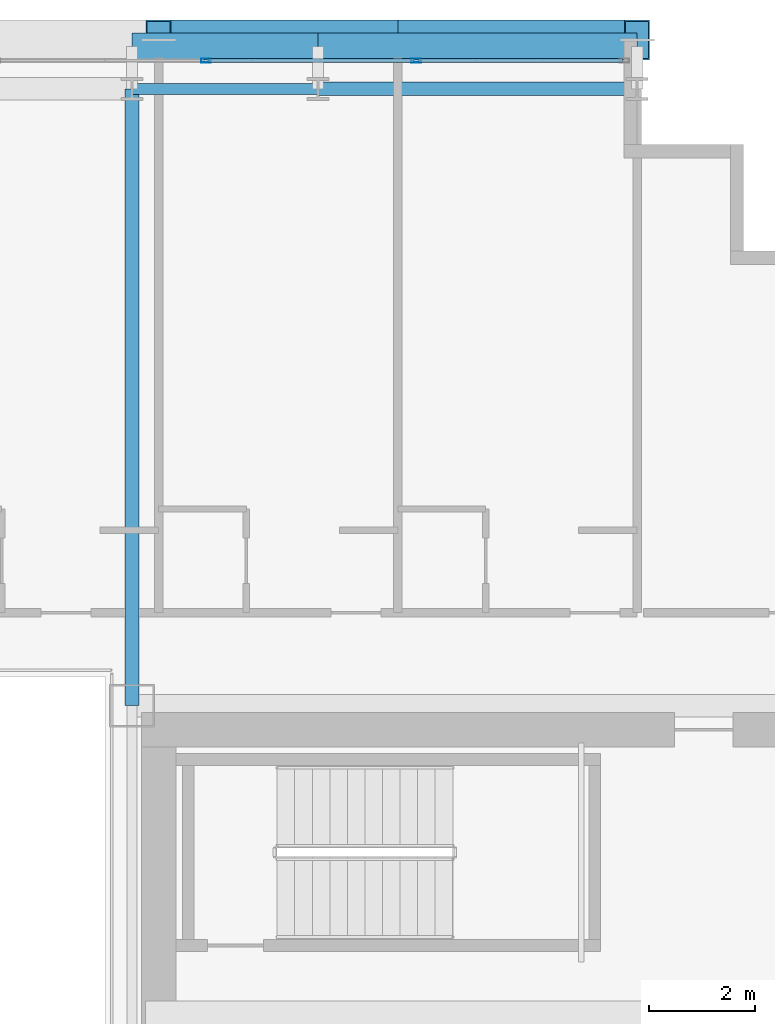
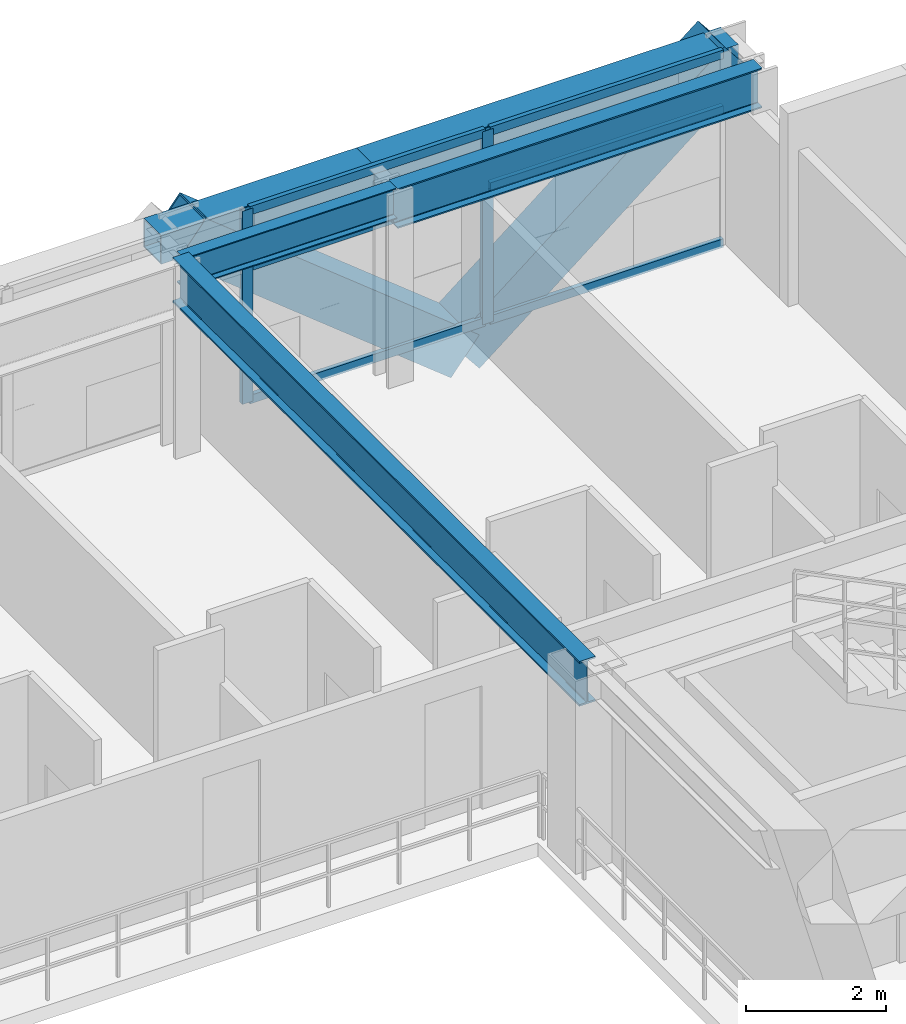
# One storey, part 21 of 36: 10 members, 5 beams, 1 element without a shape of its own.
"""IFC4 building model written with IfcOpenShell, lengths in metres."""

from ifc_helpers import new_model, si_unit, direction, frame, origin, origin_2d, place, context, subcontext, project, spatial, hollow_rectangle, i_section, extrude, source, transform, mapped, material, layer, layer_set, material_profile, profile_set, type_object, element, aggregate, save


model = new_model("IFC4")

# Units and contexts
model_context = context("Model", 3, precision=1e-05, world=origin(), true_north=direction((0.0, 1.0)))
body_context = subcontext(model_context, "Body", "Model", "MODEL_VIEW")
ifc_project = project(units=[si_unit("LENGTHUNIT", "METRE"), si_unit("AREAUNIT", "SQUARE_METRE"), si_unit("VOLUMEUNIT", "CUBIC_METRE"), si_unit("PLANEANGLEUNIT", "RADIAN"), si_unit("MASSUNIT", "GRAM", prefix="KILO")], contexts=[model_context])

# Site, building, storey
site_placement = place(None, origin())
site = spatial("IfcSite", under=ifc_project, at=site_placement, CompositionType="ELEMENT")
building_placement = place(site_placement, origin())
building = spatial("IfcBuilding", under=site, at=building_placement, Name="Ocotamira Hotel", CompositionType="ELEMENT")
storey_placement = place(building_placement, frame((0.0, 0.0, 129.60009765625)))
storey = spatial("IfcBuildingStorey", under=building, at=storey_placement, Name="L32", CompositionType="ELEMENT", Elevation=129.60009765625)

# Beams
ifc_material_1 = material(Name="Steel ASTM A992 Grade 50", Category="steel")
ifc_material_profile_1 = material_profile(ifc_material_1, i_section(OverallWidth=0.256103515625, OverallDepth=0.693115234375, WebThickness=0.014404296875, FlangeThickness=0.023681640625, FilletRadius=0.01611328125, at=origin_2d()), Name="W27X114")
ifc_profile_set_1 = profile_set([ifc_material_profile_1], Name="Steel ASTM A992 Grade 50")
beam_type_1 = type_object("IfcBeamType", Name="BM-PRIM-W27X114", PredefinedType="BEAM", material=ifc_profile_set_1)
shared_shape_1 = source(origin(), body_context, "Body", "SweptSolid", [
    extrude(i_section(OverallWidth=0.256103515625, OverallDepth=0.693115234375, WebThickness=0.014404296875, FlangeThickness=0.023681640625, FilletRadius=0.01611328125, at=origin_2d()), origin(), (0.0, 0.0, 1.0), 6.0),
])
beam_1_placement = place(storey_placement, frame((44.0, 49.050048828125, 3.013427734375), z_axis=(1.0, 0.0, 0.0), x_axis=(0.0, 1.0, 0.0)))
element("IfcBeam", 1, at=beam_1_placement, inside=storey, type_object=beam_type_1, Name="L32 Girder Y49.05 X44-50", PredefinedType="BEAM", context=body_context, shape_type="MappedRepresentation", body=[
    mapped(shared_shape_1, transform((0.0, 0.0, 0.0), scale=1.0)),
])
ifc_material_profile_2 = material_profile(ifc_material_1, i_section(OverallWidth=0.2099609375, OverallDepth=0.537109375, WebThickness=0.010986328125, FlangeThickness=0.017333984375, FilletRadius=0.012939453125, at=origin_2d()), Name="W21X68")
ifc_profile_set_2 = profile_set([ifc_material_profile_2], Name="Steel ASTM A992 Grade 50")
beam_type_2 = type_object("IfcBeamType", Name="BM-SEC-W21X68", PredefinedType="JOIST", material=ifc_profile_set_2)
shared_shape_2 = source(origin(), body_context, "Body", "SweptSolid", [
    extrude(i_section(OverallWidth=0.2099609375, OverallDepth=0.537109375, WebThickness=0.010986328125, FlangeThickness=0.017333984375, FilletRadius=0.012939453125, at=origin_2d()), origin(), (0.0, 0.0, 1.0), 3.5),
])
beam_2_placement = place(storey_placement, frame((40.5, 49.050048828125, 3.09130859375), z_axis=(1.0, 0.0, 0.0), x_axis=(0.0, 1.0, 0.0)))
element("IfcBeam", 2, at=beam_2_placement, inside=storey, type_object=beam_type_2, Name="L32 Girder Y49.05 X40.5-44", PredefinedType="JOIST", context=body_context, shape_type="MappedRepresentation", body=[
    mapped(shared_shape_2, transform((0.0, 0.0, 0.0), scale=1.0)),
])
ifc_material_profile_3 = material_profile(ifc_material_1, i_section(OverallWidth=0.26611328125, OverallDepth=0.779052734375, WebThickness=0.0166015625, FlangeThickness=0.030029296875, FilletRadius=0.01806640625, at=origin_2d()), Name="W30X148")
ifc_profile_set_3 = profile_set([ifc_material_profile_3], Name="Steel ASTM A992 Grade 50")
beam_type_3 = type_object("IfcBeamType", Name="BM-GIRD-W30X148", PredefinedType="BEAM", material=ifc_profile_set_3)
shared_shape_3 = source(origin(), body_context, "Body", "SweptSolid", [
    extrude(i_section(OverallWidth=0.26611328125, OverallDepth=0.779052734375, WebThickness=0.0166015625, FlangeThickness=0.030029296875, FilletRadius=0.01806640625, at=origin_2d()), origin(), (0.0, 0.0, 1.0), 11.60009765625),
])
beam_3_placement = place(storey_placement, frame((40.5, 37.449951171875, 2.970458984375), z_axis=(0.0, 1.0, 0.0), x_axis=(-1.0, 0.0, 0.0)))
element("IfcBeam", 3, at=beam_3_placement, inside=storey, type_object=beam_type_3, Name="L32 Beam X40.5 Y37.45-49.05", PredefinedType="BEAM", context=body_context, shape_type="MappedRepresentation", body=[
    mapped(shared_shape_3, transform((0.0, 0.0, 0.0), scale=1.0)),
])
ifc_material_2 = material(Name="Steel ASTM A500 Grade C", Category="steel")
ifc_material_profile_4 = material_profile(ifc_material_2, hollow_rectangle(XDim=0.5, YDim=0.5, WallThickness=0.02001953125, at=origin_2d()), Name="HSS500X500X20")
ifc_profile_set_4 = profile_set([ifc_material_profile_4], Name="Steel ASTM A500 Grade C")
beam_type_4 = type_object("IfcBeamType", Name="BM-SPAN-HSS500", PredefinedType="USERDEFINED", material=ifc_profile_set_4)
shared_shape_4 = source(origin(), body_context, "Body", "SweptSolid", [
    extrude(hollow_rectangle(XDim=0.5, YDim=0.5, WallThickness=0.02001953125, at=origin_2d()), origin(), (0.0, 0.0, 1.0), 6.0),
])
beam_4_placement = place(storey_placement, frame((44.0, 49.85009765625, 3.10986328125), z_axis=(1.0, 0.0, 0.0), x_axis=(0.0, 1.0, 0.0)))
element("IfcBeam", 4, at=beam_4_placement, inside=storey, type_object=beam_type_4, Name="L32 Edge Spandrel N X44-50", ObjectType="SPANDREL", PredefinedType="USERDEFINED", context=body_context, shape_type="MappedRepresentation", body=[
    mapped(shared_shape_4, transform((0.0, 0.0, 0.0), scale=1.0)),
])
shared_shape_5 = source(origin(), body_context, "Body", "SweptSolid", [
    extrude(hollow_rectangle(XDim=0.5, YDim=0.5, WallThickness=0.02001953125, at=origin_2d()), origin(), (0.0, 0.0, 1.0), 3.5),
])
beam_5_placement = place(storey_placement, frame((40.5, 49.85009765625, 3.10986328125), z_axis=(1.0, 0.0, 0.0), x_axis=(0.0, 1.0, 0.0)))
element("IfcBeam", 5, at=beam_5_placement, inside=storey, type_object=beam_type_4, Name="L32 Edge Spandrel N X40.5-44", ObjectType="SPANDREL", PredefinedType="USERDEFINED", context=body_context, shape_type="MappedRepresentation", body=[
    mapped(shared_shape_5, transform((0.0, 0.0, 0.0), scale=1.0)),
])

# Members
ifc_material_3 = material(Name="Pale-metal coated steel ASTM A913 Grade 65", Category="steel")
ifc_material_profile_5 = material_profile(ifc_material_3, hollow_rectangle(XDim=0.75, YDim=0.75, WallThickness=0.028076171875, at=origin_2d()), Name="BOX750X750X28")
ifc_profile_set_5 = profile_set([ifc_material_profile_5], Name="Pale-metal coated steel ASTM A913 Grade 65")
member_type_1 = type_object("IfcMemberType", Name="MEM-EXO-BOX750", PredefinedType="BRACE", material=ifc_profile_set_5)
shared_shape_6 = source(origin(), body_context, "Body", "SweptSolid", [
    extrude(hollow_rectangle(XDim=0.75, YDim=0.75, WallThickness=0.028076171875, at=origin_2d()), origin(), (0.0, 0.0, 1.0), 5.7626953125),
])
for number, where, z_axis, x_axis, name in (
    (6, (45.5, 49.969970703125, -0.489990234375), (-0.780881208953, 0.0, 0.624679547852), (0.0, -1.0, 0.0), "L32 Exoskeleton Diagrid N3.1"),
    (7, (45.5, 49.969970703125, -0.489990234375), (0.780881208953, 0.0, 0.624679547852), (0.0, 1.0, 0.0), "L32 Exoskeleton Diagrid N3.2"),
):
    element("IfcMember", number, at=place(storey_placement, frame(where, z_axis=z_axis, x_axis=x_axis)), inside=storey, type_object=member_type_1, Name=name, PredefinedType="BRACE", context=body_context, shape_type="MappedRepresentation", body=[
        mapped(shared_shape_6, transform((0.0, 0.0, 0.0), scale=1.0)),
    ])

# Curtain wall, members
ifc_material_4 = material(Name="Anodised pale-metal aluminium and solar glass", Category="aluminium")
ifc_layer = layer(ifc_material_4, 0.179931640625)
ifc_layer_set = layer_set([ifc_layer], Name="Anodised pale-metal aluminium and solar glass")
curtain_wall_type = type_object("IfcCurtainWallType", Name="CW-SYS3-Z2", PredefinedType="NOTDEFINED", material=ifc_layer_set)
curtain_wall_placement = place(storey_placement, origin())
curtain_wall = element("IfcCurtainWall", 8, at=curtain_wall_placement, inside=storey, type_object=curtain_wall_type, Name="L32 Curtain Wall CW-3 CW-L32-N", PredefinedType="NOTDEFINED")
ifc_material_5 = material(Name="Anodised pale-metal aluminium 6063-T6", Category="aluminium")
ifc_material_profile_6 = material_profile(ifc_material_5, hollow_rectangle(XDim=0.074951171875, YDim=0.14990234375, WallThickness=0.006103515625, at=origin_2d()), Name="HSS150X75X6")
ifc_profile_set_6 = profile_set([ifc_material_profile_6], Name="Anodised pale-metal aluminium 6063-T6")
member_type_2 = type_object("IfcMemberType", Name="CWT-150X75", PredefinedType="USERDEFINED", material=ifc_profile_set_6)
shared_shape_7 = source(origin(), body_context, "Body", "SweptSolid", [
    extrude(hollow_rectangle(XDim=0.074951171875, YDim=0.14990234375, WallThickness=0.006103515625, at=origin_2d()), origin(), (0.0, 0.0, 1.0), 3.83544921875),
])
member_1_placement = place(storey_placement, frame((45.884521484375, 49.580078125, 0.037353515625), z_axis=(1.0, 0.0, 0.0), x_axis=(0.0, 1.0, 0.0)))
member_1 = element("IfcMember", 9, at=member_1_placement, type_object=member_type_2, Name="CW-3 transom 9.1", ObjectType="TRANSOM", PredefinedType="USERDEFINED", context=body_context, shape_type="MappedRepresentation", body=[
    mapped(shared_shape_7, transform((0.0, 0.0, 0.0), scale=1.0)),
])
member_2_placement = place(storey_placement, frame((45.884521484375, 49.580078125, 2.349853515625), z_axis=(1.0, 0.0, 0.0), x_axis=(0.0, 1.0, 0.0)))
member_2 = element("IfcMember", 10, at=member_2_placement, type_object=member_type_2, Name="CW-3 transom 9.2", ObjectType="TRANSOM", PredefinedType="USERDEFINED", context=body_context, shape_type="MappedRepresentation", body=[
    mapped(shared_shape_7, transform((0.0, 0.0, 0.0), scale=1.0)),
])
member_3_placement = place(storey_placement, frame((45.884521484375, 49.580078125, 3.322509765625), z_axis=(1.0, 0.0, 0.0), x_axis=(0.0, 1.0, 0.0)))
member_3 = element("IfcMember", 11, at=member_3_placement, type_object=member_type_2, Name="CW-3 transom 9.3", ObjectType="TRANSOM", PredefinedType="USERDEFINED", context=body_context, shape_type="MappedRepresentation", body=[
    mapped(shared_shape_7, transform((0.0, 0.0, 0.0), scale=1.0)),
])
shared_shape_8 = source(origin(), body_context, "Body", "SweptSolid", [
    extrude(hollow_rectangle(XDim=0.074951171875, YDim=0.14990234375, WallThickness=0.006103515625, at=origin_2d()), origin(), (0.0, 0.0, 1.0), 3.87548828125),
])
member_4_placement = place(storey_placement, frame((41.928955078125, 49.580078125, 0.037353515625), z_axis=(1.0, 0.0, 0.0), x_axis=(0.0, 1.0, 0.0)))
member_4 = element("IfcMember", 12, at=member_4_placement, type_object=member_type_2, Name="CW-3 transom 8.1", ObjectType="TRANSOM", PredefinedType="USERDEFINED", context=body_context, shape_type="MappedRepresentation", body=[
    mapped(shared_shape_8, transform((0.0, 0.0, 0.0), scale=1.0)),
])
member_5_placement = place(storey_placement, frame((41.928955078125, 49.580078125, 2.349853515625), z_axis=(1.0, 0.0, 0.0), x_axis=(0.0, 1.0, 0.0)))
member_5 = element("IfcMember", 13, at=member_5_placement, type_object=member_type_2, Name="CW-3 transom 8.2", ObjectType="TRANSOM", PredefinedType="USERDEFINED", context=body_context, shape_type="MappedRepresentation", body=[
    mapped(shared_shape_8, transform((0.0, 0.0, 0.0), scale=1.0)),
])
member_6_placement = place(storey_placement, frame((41.928955078125, 49.580078125, 3.322509765625), z_axis=(1.0, 0.0, 0.0), x_axis=(0.0, 1.0, 0.0)))
member_6 = element("IfcMember", 14, at=member_6_placement, type_object=member_type_2, Name="CW-3 transom 8.3", ObjectType="TRANSOM", PredefinedType="USERDEFINED", context=body_context, shape_type="MappedRepresentation", body=[
    mapped(shared_shape_8, transform((0.0, 0.0, 0.0), scale=1.0)),
])
ifc_material_profile_7 = material_profile(ifc_material_5, hollow_rectangle(XDim=0.080078125, YDim=0.179931640625, WallThickness=0.006103515625, at=origin_2d()), Name="HSS180X80X6")
ifc_profile_set_7 = profile_set([ifc_material_profile_7], Name="Anodised pale-metal aluminium 6063-T6")
member_type_3 = type_object("IfcMemberType", Name="CWM-180X75", PredefinedType="MULLION", material=ifc_profile_set_7)
shared_shape_9 = source(origin(), body_context, "Body", "SweptSolid", [
    extrude(hollow_rectangle(XDim=0.080078125, YDim=0.179931640625, WallThickness=0.006103515625, at=origin_2d()), origin(), (0.0, 0.0, 1.0), 3.35986328125),
])
member_7_placement = place(storey_placement, frame((41.888916015625, 49.580078125, 0.0), z_axis=(0.0, 0.0, 1.0), x_axis=(0.0, 1.0, 0.0)))
member_7 = element("IfcMember", 15, at=member_7_placement, type_object=member_type_3, Name="CW-3 mullion 8", PredefinedType="MULLION", context=body_context, shape_type="MappedRepresentation", body=[
    mapped(shared_shape_9, transform((0.0, 0.0, 0.0), scale=1.0)),
])
member_8_placement = place(storey_placement, frame((45.844482421875, 49.580078125, 0.0), z_axis=(0.0, 0.0, 1.0), x_axis=(0.0, 1.0, 0.0)))
member_8 = element("IfcMember", 16, at=member_8_placement, type_object=member_type_3, Name="CW-3 mullion 9", PredefinedType="MULLION", context=body_context, shape_type="MappedRepresentation", body=[
    mapped(shared_shape_9, transform((0.0, 0.0, 0.0), scale=1.0)),
])
aggregate(curtain_wall, [member_7, member_8, member_4, member_5, member_6, member_1, member_2, member_3])

save(model, "model.ifc")
